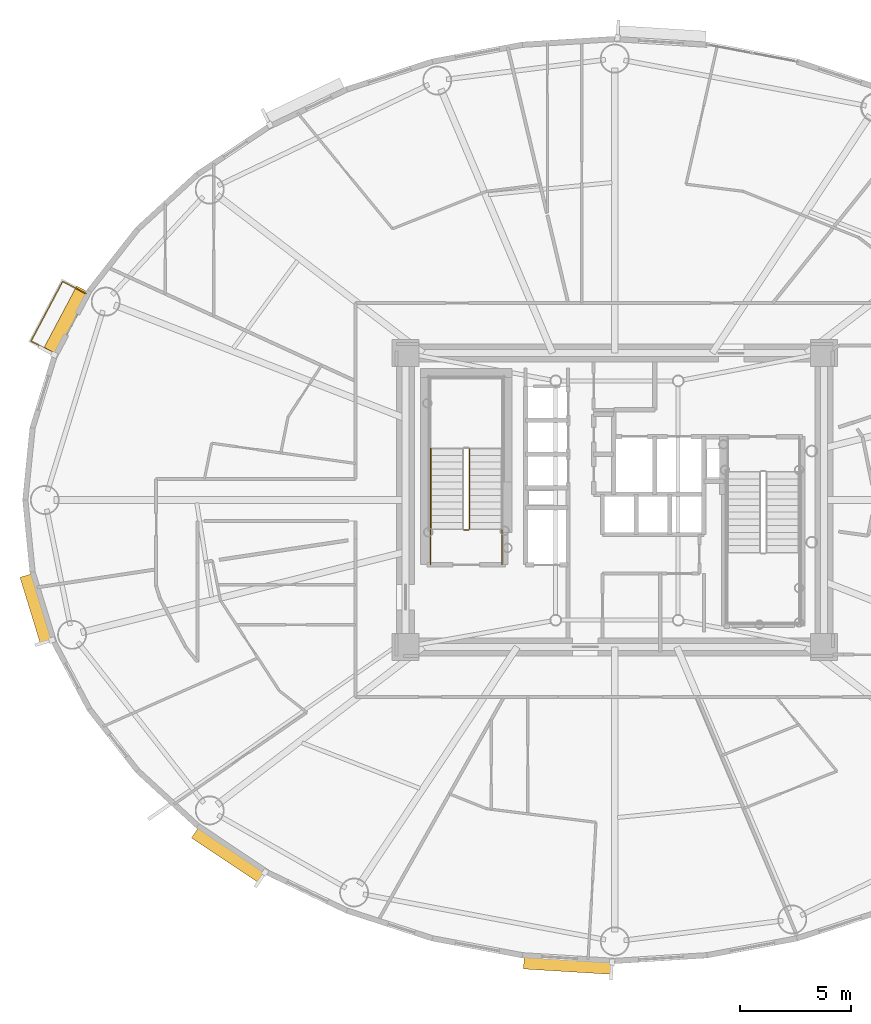
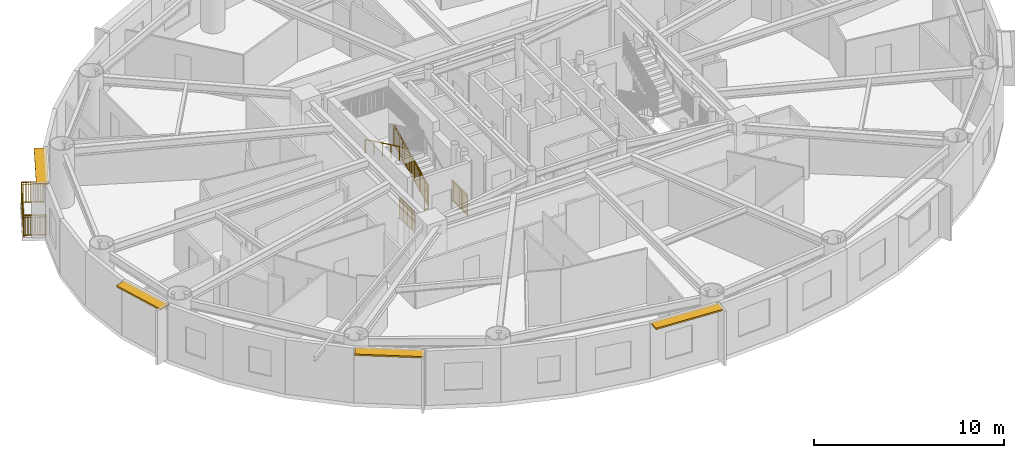
# One storey, part 14 of 20: 6 railings, 4 shading devices.
"""IFC4 building model written with IfcOpenShell, lengths in metres."""

import ifcopenshell
import ifcopenshell.guid

model = None  # the IFC model being written
_history = None  # IfcOwnerHistory: only IFC2X3 demands one
_inside = {}  # id of a spatial element -> (the spatial element, [elements in it])
_under = {}  # id of a project, library or spatial element -> (it, [spatial elements below it])
_declared = {}  # id of a project -> (the project, [libraries it declares])
_typed = {}  # id of a type object -> (the type object, [elements of that type])
_made_of = {}  # id of a material, layer set ... -> (it, [elements and type objects made of it])


def new_model(schema):
    """Start an empty IFC model of exactly this schema.

    Asked for "IFC4X3", IfcOpenShell would pick the latest addendum, in which some entities
    have other attributes; the version numbers below select the first issue.
    IFC2X3 requires an IfcOwnerHistory on every rooted entity: one is made here for all.
    """
    global model, _history
    if schema == "IFC4X3":
        model = ifcopenshell.file(schema_version=(4, 3, 0, 0))
    else:
        model = ifcopenshell.file(schema=schema)
    _inside.clear()
    _under.clear()
    _declared.clear()
    _typed.clear()
    _made_of.clear()
    _history = None
    if model.schema == "IFC2X3":
        org = make("IfcOrganization", Name="unknown")
        user = make(
            "IfcPersonAndOrganization",
            ThePerson=make("IfcPerson", FamilyName="unknown"),
            TheOrganization=org,
        )
        app = make(
            "IfcApplication",
            ApplicationDeveloper=org,
            Version="unknown",
            ApplicationFullName="unknown",
            ApplicationIdentifier="unknown",
        )
        _history = make(
            "IfcOwnerHistory",
            OwningUser=user,
            OwningApplication=app,
            ChangeAction="ADDED",
            CreationDate=0,
        )
    return model


def make(cls, **values):
    """One entity of the class cls with the attributes given. An attribute that is None is left unset."""
    return model.create_entity(
        cls, **{name: value for name, value in values.items() if value is not None}
    )


def rooted(cls, **values):
    """An entity with a GlobalId (a new one), such as an element, a storey or a relation."""
    return make(cls, GlobalId=ifcopenshell.guid.new(), OwnerHistory=_history, **values)


def si_unit(unit_type, name, prefix=None):
    """IfcSIUnit, for example si_unit("LENGTHUNIT", "METRE", prefix="MILLI")."""
    return make("IfcSIUnit", UnitType=unit_type, Prefix=prefix, Name=name)


def assignment(units):
    """IfcUnitAssignment: the units of a project."""
    return None if units is None else make("IfcUnitAssignment", Units=units)


def point(xyz):
    """IfcCartesianPoint."""
    return None if xyz is None else make("IfcCartesianPoint", Coordinates=xyz)


def direction(xyz):
    """IfcDirection."""
    return None if xyz is None else make("IfcDirection", DirectionRatios=xyz)


def frame(location, z_axis=None, x_axis=None):
    """IfcAxis2Placement3D, a coordinate frame: its origin and axes. An axis left out is left unset."""
    return make(
        "IfcAxis2Placement3D",
        Location=point(location),
        Axis=direction(z_axis),
        RefDirection=direction(x_axis),
    )


def frame_2d(location, x_axis=None):
    """IfcAxis2Placement2D, a coordinate frame in the plane: its origin and x axis."""
    return make(
        "IfcAxis2Placement2D", Location=point(location), RefDirection=direction(x_axis)
    )


def origin():
    """The frame at (0, 0, 0) with its axes left unset."""
    return frame((0.0, 0.0, 0.0))


def origin_2d():
    """The frame at (0, 0) in the plane with its x axis left unset."""
    return frame_2d((0.0, 0.0))


def place(relative_to, where):
    """IfcLocalPlacement: puts the frame where relative to a parent placement (None: the world)."""
    return make(
        "IfcLocalPlacement", PlacementRelTo=relative_to, RelativePlacement=where
    )


def context(
    kind, dimensions, precision=None, world=None, true_north=None, identifier=None
):
    """IfcGeometricRepresentationContext, for example the 3D "Model" context."""
    return make(
        "IfcGeometricRepresentationContext",
        ContextIdentifier=identifier,
        ContextType=kind,
        CoordinateSpaceDimension=dimensions,
        Precision=precision,
        WorldCoordinateSystem=world,
        TrueNorth=true_north,
    )


def subcontext(parent, identifier, kind, view, scale=None):
    """IfcGeometricRepresentationSubContext, for example "Body" below "Model"."""
    return make(
        "IfcGeometricRepresentationSubContext",
        ContextIdentifier=identifier,
        ContextType=kind,
        ParentContext=parent,
        TargetScale=scale,
        TargetView=view,
    )


def project(units=None, contexts=None):
    """IfcProject with its units and contexts."""
    return rooted(
        "IfcProject",
        Name="project",
        RepresentationContexts=contexts,
        UnitsInContext=assignment(units),
    )


def spatial(cls, under=None, at=None, **own):
    """A site, building, storey or space (cls), placed at a placement, below another one or the project."""
    s = rooted(cls, ObjectPlacement=at, **own)
    if under is not None:
        _under.setdefault(under.id(), (under, []))[1].append(s)
    return s


def profile(cls, at=None, kind="AREA", **sizes):
    """A parametric profile (cls). Its sizes go by their IFC names, for example OverallWidth=200.0."""
    return make(cls, ProfileType=kind, Position=at, **sizes)


def rectangle(**sizes):
    """IfcRectangleProfileDef."""
    return profile("IfcRectangleProfileDef", **sizes)


def extrude(swept, where, along, depth):
    """IfcExtrudedAreaSolid: the profile swept, set in the frame where, extruded along a direction by depth."""
    return make(
        "IfcExtrudedAreaSolid",
        SweptArea=swept,
        Position=where,
        ExtrudedDirection=direction(along),
        Depth=depth,
    )


def shape(context_of_items, identifier, shape_type, items):
    """IfcShapeRepresentation: the items that make up one representation, for example the "Body"."""
    return make(
        "IfcShapeRepresentation",
        ContextOfItems=context_of_items,
        RepresentationIdentifier=identifier,
        RepresentationType=shape_type,
        Items=items,
    )


def source(mapping_origin, context_of_items, identifier, shape_type, items):
    """IfcRepresentationMap: a shape defined once, which mapped items show again and again."""
    return make(
        "IfcRepresentationMap",
        MappingOrigin=mapping_origin,
        MappedRepresentation=shape(context_of_items, identifier, shape_type, items),
    )


def transform(
    local_origin,
    x_axis=None,
    y_axis=None,
    z_axis=None,
    scale=None,
    scale2=None,
    scale3=None,
    uniform=True,
):
    """IfcCartesianTransformationOperator3D, or its non-uniform kind. x_axis, y_axis, z_axis: its Axis1, 2, 3."""
    if uniform:
        return make(
            "IfcCartesianTransformationOperator3D",
            Axis1=direction(x_axis),
            Axis2=direction(y_axis),
            LocalOrigin=point(local_origin),
            Scale=scale,
            Axis3=direction(z_axis),
        )
    return make(
        "IfcCartesianTransformationOperator3DnonUniform",
        Axis1=direction(x_axis),
        Axis2=direction(y_axis),
        LocalOrigin=point(local_origin),
        Scale=scale,
        Axis3=direction(z_axis),
        Scale2=scale2,
        Scale3=scale3,
    )


def mapped(mapping_source, mapping_target):
    """IfcMappedItem: shows the shape of a source again, moved by a transform."""
    return make(
        "IfcMappedItem", MappingSource=mapping_source, MappingTarget=mapping_target
    )


def material(Name=None, Category=None):
    """IfcMaterial."""
    return make("IfcMaterial", Name=Name, Category=Category)


def layer(
    of_material, thickness, ventilated=None, Name=None, Category=None, Priority=None
):
    """IfcMaterialLayer: one layer of a wall or slab, of a material (None: an air gap)."""
    return make(
        "IfcMaterialLayer",
        Material=of_material,
        LayerThickness=thickness,
        IsVentilated=ventilated,
        Name=Name,
        Category=Category,
        Priority=Priority,
    )


def layer_set(layers, Name=None):
    """IfcMaterialLayerSet."""
    return make("IfcMaterialLayerSet", MaterialLayers=layers, LayerSetName=Name)


def made_of(thing, what):
    """Note that an element or type object is made of a material, layer set ...; save() writes the relation."""
    if what is not None:
        _made_of.setdefault(what.id(), (what, []))[1].append(thing)
    return thing


def type_object(cls, material=None, **own):
    """A type object (cls), such as IfcWallType, which elements share."""
    return made_of(rooted(cls, **own), material)


def element(
    cls,
    number,
    at=None,
    inside=None,
    cuts=None,
    type_object=None,
    material=None,
    context=None,
    identifier="Body",
    shape_type=None,
    held_by="IfcProductDefinitionShape",
    body=None,
    shapes=None,
    **own,
):
    """One element of the class cls, such as IfcWall. Its Tag is "e" and its number.

    at: its placement. inside: the storey or other place that contains it. cuts: it is an
    opening in that element (IfcRelVoidsElement). A single representation is given by context,
    identifier, shape_type and body (its items); several are given by shapes. held_by: the class
    of the entity that holds the representations. save() writes the other relations.
    """
    e = rooted(cls, Tag="e%d" % number, ObjectPlacement=at, **own)
    if body is not None:
        shapes = [shape(context, identifier, shape_type, body)]
    if shapes is not None:
        e.Representation = make(held_by, Representations=shapes)
    if inside is not None:
        _inside.setdefault(inside.id(), (inside, []))[1].append(e)
    if cuts is not None:
        rooted(
            "IfcRelVoidsElement", RelatingBuildingElement=cuts, RelatedOpeningElement=e
        )
    if type_object is not None:
        _typed.setdefault(type_object.id(), (type_object, []))[1].append(e)
    return made_of(e, material)


def aggregate(whole, parts):
    """IfcRelAggregates: a whole, such as a stair, and the parts it consists of."""
    return rooted("IfcRelAggregates", RelatingObject=whole, RelatedObjects=parts)


def save(model, path):
    """Write the relations noted so far, then the file.

    IfcRelAggregates (storeys below a building ...), IfcRelContainedInSpatialStructure (elements
    in a storey), IfcRelDefinesByType, IfcRelAssociatesMaterial and IfcRelDeclares: one each for
    every whole, place, type object, material and project.
    """
    for whole, parts in _under.values():
        aggregate(whole, parts)
    for where, things in _inside.values():
        rooted(
            "IfcRelContainedInSpatialStructure",
            RelatedElements=things,
            RelatingStructure=where,
        )
    for kind, things in _typed.values():
        rooted("IfcRelDefinesByType", RelatedObjects=things, RelatingType=kind)
    for what, things in _made_of.values():
        rooted("IfcRelAssociatesMaterial", RelatedObjects=things, RelatingMaterial=what)
    for by, libraries in _declared.values():
        rooted("IfcRelDeclares", RelatingContext=by, RelatedDefinitions=libraries)
    model.write(path)


model = new_model("IFC4")

# Units and contexts
model_context = context("Model", 3, precision=1e-05, world=origin(), true_north=direction((0.0, 1.0)))
body_context = subcontext(model_context, "Body", "Model", "MODEL_VIEW")
ifc_project = project(units=[si_unit("LENGTHUNIT", "METRE"), si_unit("AREAUNIT", "SQUARE_METRE"), si_unit("VOLUMEUNIT", "CUBIC_METRE"), si_unit("PLANEANGLEUNIT", "RADIAN"), si_unit("MASSUNIT", "GRAM", prefix="KILO")], contexts=[model_context])

# Site, building, storey
site_placement = place(None, origin())
site = spatial("IfcSite", under=ifc_project, at=site_placement, CompositionType="ELEMENT")
building_placement = place(site_placement, origin())
building = spatial("IfcBuilding", under=site, at=building_placement, Name="Linh Dai School and Residence Tower", CompositionType="ELEMENT")
storey_placement = place(building_placement, frame((0.0, 0.0, 163.64990234375)))
storey = spatial("IfcBuildingStorey", under=building, at=storey_placement, Name="L39", CompositionType="ELEMENT", Elevation=163.64990234375)

# Shading devices
ifc_material_1 = material(Name="Terracotta Ceramic Sunshade", Category="masonry")
ifc_layer = layer(ifc_material_1, 0.10009765625)
ifc_layer_set = layer_set([ifc_layer], Name="Terracotta Ceramic Sunshade")
shading_device_type = type_object("IfcShadingDeviceType", Name="SHD-TC-650", PredefinedType="USERDEFINED", material=ifc_layer_set)
shared_shape_1 = source(origin(), body_context, "Body", "SweptSolid", [
    extrude(rectangle(XDim=3.168212890625, YDim=0.64990234375, at=origin_2d()), origin(), (0.0, 0.0, 1.0), 0.10009765625),
])
shading_device_1_placement = place(storey_placement, frame((10.061279296875, 22.105224609375, 3.380126953125), z_axis=(0.0, 0.0, 1.0), x_axis=(-0.293121969301, 0.956075055167, 0.0)))
element("IfcShadingDevice", 1, at=shading_device_1_placement, inside=storey, type_object=shading_device_type, Name="L39 Terracotta Horizontal Sunshade Band 22", ObjectType="SUNSHADE", PredefinedType="USERDEFINED", context=body_context, shape_type="MappedRepresentation", body=[
    mapped(shared_shape_1, transform((0.0, 0.0, 0.0), x_axis=(1.0, 0.0, 0.0), y_axis=(0.0, 1.0, 0.0), z_axis=(0.0, 0.0, 1.0), scale=1.0)),
])
shared_shape_2 = source(origin(), body_context, "Body", "SweptSolid", [
    extrude(rectangle(XDim=3.64794921875, YDim=0.64990234375, at=origin_2d()), origin(), (0.0, 0.0, 1.0), 0.10009765625),
])
shading_device_2_placement = place(storey_placement, frame((18.68896484375, 11.076171875, 3.380126953125), z_axis=(0.0, 0.0, 1.0), x_axis=(-0.831228338651, 0.555931154932, 0.0)))
element("IfcShadingDevice", 2, at=shading_device_2_placement, inside=storey, type_object=shading_device_type, Name="L39 Terracotta Horizontal Sunshade Band 26", ObjectType="SUNSHADE", PredefinedType="USERDEFINED", context=body_context, shape_type="MappedRepresentation", body=[
    mapped(shared_shape_2, transform((0.0, 0.0, 0.0), x_axis=(1.0, 0.0, 0.0), y_axis=(0.0, 1.0, 0.0), z_axis=(0.0, 0.0, 1.0), scale=1.0)),
])
shared_shape_3 = source(origin(), body_context, "Body", "SweptSolid", [
    extrude(rectangle(XDim=3.987548828125, YDim=0.64990234375, at=origin_2d()), origin(), (0.0, 0.0, 1.0), 0.10009765625),
])
shading_device_3_placement = place(storey_placement, frame((33.90966796875, 6.13818359375, 3.380126953125), z_axis=(0.0, 0.0, 1.0), x_axis=(-0.99810632076, 0.061512376467, 0.0)))
element("IfcShadingDevice", 3, at=shading_device_3_placement, inside=storey, type_object=shading_device_type, Name="L39 Terracotta Horizontal Sunshade Band 30", ObjectType="SUNSHADE", PredefinedType="USERDEFINED", context=body_context, shape_type="MappedRepresentation", body=[
    mapped(shared_shape_3, transform((0.0, 0.0, 0.0), x_axis=(1.0, 0.0, 0.0), y_axis=(0.0, 1.0, 0.0), z_axis=(0.0, 0.0, 1.0), scale=1.0)),
])

# Railing
ifc_material_2 = material(Name="Structural Steel S355JR", Category="steel")
railing_type_1 = type_object("IfcRailingType", Name="RL-BAL-1400", PredefinedType="BALUSTRADE", material=ifc_material_2)
shared_shape_4 = source(origin(), body_context, "Body", "SweptSolid", [
    extrude(rectangle(XDim=0.048095703125, YDim=0.048095703125, at=origin_2d()), frame((0.0, 0.0, 1.3759765625), z_axis=(-0.884059525788, 0.467374319859, 0.0), x_axis=(-0.467374319859, -0.884059525788, 0.0)), (0.0, 0.0, 1.0), 1.179931640625),
    extrude(rectangle(XDim=0.048095703125, YDim=0.048095703125, at=origin_2d()), frame((0.0, 0.0, 0.10009765625), z_axis=(-0.884059525788, 0.467374319859, 0.0), x_axis=(-0.467374319859, -0.884059525788, 0.0)), (0.0, 0.0, 1.0), 1.179931640625),
    extrude(rectangle(XDim=0.030029296875, YDim=0.030029296875, at=origin_2d()), frame((0.0, 0.0, 1.239990234375), z_axis=(-0.884059525788, 0.467374319859, 0.0), x_axis=(-0.467374319859, -0.884059525788, 0.0)), (0.0, 0.0, 1.0), 1.179931640625),
    extrude(rectangle(XDim=0.02001953125, YDim=0.02001953125, at=origin_2d()), frame((-0.080322265625, 0.04248046875, 0.10009765625)), (0.0, 0.0, 1.0), 1.251708984375),
    extrude(rectangle(XDim=0.02001953125, YDim=0.02001953125, at=origin_2d()), frame((-0.160400390625, 0.0849609375, 0.10009765625)), (0.0, 0.0, 1.0), 1.251708984375),
    extrude(rectangle(XDim=0.02001953125, YDim=0.02001953125, at=origin_2d()), frame((-0.24072265625, 0.127197265625, 0.10009765625)), (0.0, 0.0, 1.0), 1.251708984375),
    extrude(rectangle(XDim=0.02001953125, YDim=0.02001953125, at=origin_2d()), frame((-0.321044921875, 0.169677734375, 0.10009765625)), (0.0, 0.0, 1.0), 1.251708984375),
    extrude(rectangle(XDim=0.02001953125, YDim=0.02001953125, at=origin_2d()), frame((-0.401123046875, 0.212158203125, 0.10009765625)), (0.0, 0.0, 1.0), 1.251708984375),
    extrude(rectangle(XDim=0.02001953125, YDim=0.02001953125, at=origin_2d()), frame((-0.4814453125, 0.254638671875, 0.10009765625)), (0.0, 0.0, 1.0), 1.251708984375),
    extrude(rectangle(XDim=0.02001953125, YDim=0.02001953125, at=origin_2d()), frame((-0.561767578125, 0.296875, 0.10009765625)), (0.0, 0.0, 1.0), 1.251708984375),
    extrude(rectangle(XDim=0.02001953125, YDim=0.02001953125, at=origin_2d()), frame((-0.64208984375, 0.33935546875, 0.10009765625)), (0.0, 0.0, 1.0), 1.251708984375),
    extrude(rectangle(XDim=0.02001953125, YDim=0.02001953125, at=origin_2d()), frame((-0.72216796875, 0.3818359375, 0.10009765625)), (0.0, 0.0, 1.0), 1.251708984375),
    extrude(rectangle(XDim=0.02001953125, YDim=0.02001953125, at=origin_2d()), frame((-0.802490234375, 0.42431640625, 0.10009765625)), (0.0, 0.0, 1.0), 1.251708984375),
    extrude(rectangle(XDim=0.02001953125, YDim=0.02001953125, at=origin_2d()), frame((-0.8828125, 0.466552734375, 0.10009765625)), (0.0, 0.0, 1.0), 1.251708984375),
    extrude(rectangle(XDim=0.02001953125, YDim=0.02001953125, at=origin_2d()), frame((-0.962890625, 0.509033203125, 0.10009765625)), (0.0, 0.0, 1.0), 1.251708984375),
    extrude(rectangle(XDim=0.048095703125, YDim=0.048095703125, at=origin_2d()), frame((-1.043212890625, 0.551513671875, 1.3759765625), z_axis=(0.467602962324, 0.88393861191, 0.0), x_axis=(-0.88393861191, 0.467602962324, 0.0)), (0.0, 0.0, 1.0), 3.033447265625),
    extrude(rectangle(XDim=0.048095703125, YDim=0.048095703125, at=origin_2d()), frame((-1.043212890625, 0.551513671875, 0.10009765625), z_axis=(0.467602962324, 0.88393861191, 0.0), x_axis=(-0.88393861191, 0.467602962324, 0.0)), (0.0, 0.0, 1.0), 3.033447265625),
    extrude(rectangle(XDim=0.030029296875, YDim=0.030029296875, at=origin_2d()), frame((-1.043212890625, 0.551513671875, 1.239990234375), z_axis=(0.467602962324, 0.88393861191, 0.0), x_axis=(-0.88393861191, 0.467602962324, 0.0)), (0.0, 0.0, 1.0), 3.033447265625),
    extrude(rectangle(XDim=0.02001953125, YDim=0.02001953125, at=origin_2d()), frame((-0.99755859375, 0.637939453125, 0.10009765625)), (0.0, 0.0, 1.0), 1.251708984375),
    extrude(rectangle(XDim=0.02001953125, YDim=0.02001953125, at=origin_2d()), frame((-0.95166015625, 0.724609375, 0.10009765625)), (0.0, 0.0, 1.0), 1.251708984375),
    extrude(rectangle(XDim=0.02001953125, YDim=0.02001953125, at=origin_2d()), frame((-0.906005859375, 0.81103515625, 0.10009765625)), (0.0, 0.0, 1.0), 1.251708984375),
    extrude(rectangle(XDim=0.02001953125, YDim=0.02001953125, at=origin_2d()), frame((-0.860107421875, 0.8974609375, 0.10009765625)), (0.0, 0.0, 1.0), 1.251708984375),
    extrude(rectangle(XDim=0.02001953125, YDim=0.02001953125, at=origin_2d()), frame((-0.814453125, 0.98388671875, 0.10009765625)), (0.0, 0.0, 1.0), 1.251708984375),
    extrude(rectangle(XDim=0.02001953125, YDim=0.02001953125, at=origin_2d()), frame((-0.7685546875, 1.070556640625, 0.10009765625)), (0.0, 0.0, 1.0), 1.251708984375),
    extrude(rectangle(XDim=0.02001953125, YDim=0.02001953125, at=origin_2d()), frame((-0.722900390625, 1.156982421875, 0.10009765625)), (0.0, 0.0, 1.0), 1.251708984375),
    extrude(rectangle(XDim=0.02001953125, YDim=0.02001953125, at=origin_2d()), frame((-0.67724609375, 1.243408203125, 0.10009765625)), (0.0, 0.0, 1.0), 1.251708984375),
    extrude(rectangle(XDim=0.02001953125, YDim=0.02001953125, at=origin_2d()), frame((-0.63134765625, 1.330078125, 0.10009765625)), (0.0, 0.0, 1.0), 1.251708984375),
    extrude(rectangle(XDim=0.02001953125, YDim=0.02001953125, at=origin_2d()), frame((-0.539794921875, 1.5029296875, 0.10009765625)), (0.0, 0.0, 1.0), 1.251708984375),
    extrude(rectangle(XDim=0.02001953125, YDim=0.02001953125, at=origin_2d()), frame((-0.494140625, 1.58935546875, 0.10009765625)), (0.0, 0.0, 1.0), 1.251708984375),
    extrude(rectangle(XDim=0.02001953125, YDim=0.02001953125, at=origin_2d()), frame((-0.448486328125, 1.676025390625, 0.10009765625)), (0.0, 0.0, 1.0), 1.251708984375),
    extrude(rectangle(XDim=0.02001953125, YDim=0.02001953125, at=origin_2d()), frame((-0.402587890625, 1.762451171875, 0.10009765625)), (0.0, 0.0, 1.0), 1.251708984375),
    extrude(rectangle(XDim=0.02001953125, YDim=0.02001953125, at=origin_2d()), frame((-0.35693359375, 1.848876953125, 0.10009765625)), (0.0, 0.0, 1.0), 1.251708984375),
    extrude(rectangle(XDim=0.02001953125, YDim=0.02001953125, at=origin_2d()), frame((-0.31103515625, 1.935546875, 0.10009765625)), (0.0, 0.0, 1.0), 1.251708984375),
    extrude(rectangle(XDim=0.02001953125, YDim=0.02001953125, at=origin_2d()), frame((-0.265380859375, 2.02197265625, 0.10009765625)), (0.0, 0.0, 1.0), 1.251708984375),
    extrude(rectangle(XDim=0.02001953125, YDim=0.02001953125, at=origin_2d()), frame((-0.219482421875, 2.1083984375, 0.10009765625)), (0.0, 0.0, 1.0), 1.251708984375),
    extrude(rectangle(XDim=0.02001953125, YDim=0.02001953125, at=origin_2d()), frame((-0.173828125, 2.195068359375, 0.10009765625)), (0.0, 0.0, 1.0), 1.251708984375),
    extrude(rectangle(XDim=0.02001953125, YDim=0.02001953125, at=origin_2d()), frame((-0.128173828125, 2.281494140625, 0.10009765625)), (0.0, 0.0, 1.0), 1.251708984375),
    extrude(rectangle(XDim=0.02001953125, YDim=0.02001953125, at=origin_2d()), frame((-0.03662109375, 2.454345703125, 0.10009765625)), (0.0, 0.0, 1.0), 1.251708984375),
    extrude(rectangle(XDim=0.02001953125, YDim=0.02001953125, at=origin_2d()), frame((0.00927734375, 2.541015625, 0.10009765625)), (0.0, 0.0, 1.0), 1.251708984375),
    extrude(rectangle(XDim=0.02001953125, YDim=0.02001953125, at=origin_2d()), frame((0.054931640625, 2.62744140625, 0.10009765625)), (0.0, 0.0, 1.0), 1.251708984375),
    extrude(rectangle(XDim=0.02001953125, YDim=0.02001953125, at=origin_2d()), frame((0.1005859375, 2.7138671875, 0.10009765625)), (0.0, 0.0, 1.0), 1.251708984375),
    extrude(rectangle(XDim=0.02001953125, YDim=0.02001953125, at=origin_2d()), frame((0.146484375, 2.800537109375, 0.10009765625)), (0.0, 0.0, 1.0), 1.251708984375),
    extrude(rectangle(XDim=0.02001953125, YDim=0.02001953125, at=origin_2d()), frame((0.192138671875, 2.886962890625, 0.10009765625)), (0.0, 0.0, 1.0), 1.251708984375),
    extrude(rectangle(XDim=0.02001953125, YDim=0.02001953125, at=origin_2d()), frame((0.238037109375, 2.973388671875, 0.10009765625)), (0.0, 0.0, 1.0), 1.251708984375),
    extrude(rectangle(XDim=0.02001953125, YDim=0.02001953125, at=origin_2d()), frame((0.28369140625, 3.059814453125, 0.10009765625)), (0.0, 0.0, 1.0), 1.251708984375),
    extrude(rectangle(XDim=0.02001953125, YDim=0.02001953125, at=origin_2d()), frame((0.32958984375, 3.146484375, 0.10009765625)), (0.0, 0.0, 1.0), 1.251708984375),
    extrude(rectangle(XDim=0.048095703125, YDim=0.048095703125, at=origin_2d()), frame((0.375244140625, 3.23291015625, 1.3759765625), z_axis=(0.883928800226, -0.467621509483, 0.0), x_axis=(0.467621509483, 0.883928800226, 0.0)), (0.0, 0.0, 1.0), 1.179931640625),
    extrude(rectangle(XDim=0.048095703125, YDim=0.048095703125, at=origin_2d()), frame((0.375244140625, 3.23291015625, 0.10009765625), z_axis=(0.883928800226, -0.467621509483, 0.0), x_axis=(0.467621509483, 0.883928800226, 0.0)), (0.0, 0.0, 1.0), 1.179931640625),
    extrude(rectangle(XDim=0.030029296875, YDim=0.030029296875, at=origin_2d()), frame((0.375244140625, 3.23291015625, 1.239990234375), z_axis=(0.883928800226, -0.467621509483, 0.0), x_axis=(0.467621509483, 0.883928800226, 0.0)), (0.0, 0.0, 1.0), 1.179931640625),
    extrude(rectangle(XDim=0.02001953125, YDim=0.02001953125, at=origin_2d()), frame((0.45556640625, 3.1904296875, 0.10009765625)), (0.0, 0.0, 1.0), 1.251708984375),
    extrude(rectangle(XDim=0.02001953125, YDim=0.02001953125, at=origin_2d()), frame((0.53564453125, 3.14794921875, 0.10009765625)), (0.0, 0.0, 1.0), 1.251708984375),
    extrude(rectangle(XDim=0.02001953125, YDim=0.02001953125, at=origin_2d()), frame((0.615966796875, 3.10546875, 0.10009765625)), (0.0, 0.0, 1.0), 1.251708984375),
    extrude(rectangle(XDim=0.02001953125, YDim=0.02001953125, at=origin_2d()), frame((0.696044921875, 3.063232421875, 0.10009765625)), (0.0, 0.0, 1.0), 1.251708984375),
    extrude(rectangle(XDim=0.02001953125, YDim=0.02001953125, at=origin_2d()), frame((0.7763671875, 3.020751953125, 0.10009765625)), (0.0, 0.0, 1.0), 1.251708984375),
    extrude(rectangle(XDim=0.02001953125, YDim=0.02001953125, at=origin_2d()), frame((0.856689453125, 2.978271484375, 0.10009765625)), (0.0, 0.0, 1.0), 1.251708984375),
    extrude(rectangle(XDim=0.02001953125, YDim=0.02001953125, at=origin_2d()), frame((0.936767578125, 2.935791015625, 0.10009765625)), (0.0, 0.0, 1.0), 1.251708984375),
    extrude(rectangle(XDim=0.02001953125, YDim=0.02001953125, at=origin_2d()), frame((1.01708984375, 2.893310546875, 0.10009765625)), (0.0, 0.0, 1.0), 1.251708984375),
    extrude(rectangle(XDim=0.02001953125, YDim=0.02001953125, at=origin_2d()), frame((1.097412109375, 2.850830078125, 0.10009765625)), (0.0, 0.0, 1.0), 1.251708984375),
    extrude(rectangle(XDim=0.02001953125, YDim=0.02001953125, at=origin_2d()), frame((1.177490234375, 2.80859375, 0.10009765625)), (0.0, 0.0, 1.0), 1.251708984375),
    extrude(rectangle(XDim=0.02001953125, YDim=0.02001953125, at=origin_2d()), frame((1.2578125, 2.76611328125, 0.10009765625)), (0.0, 0.0, 1.0), 1.251708984375),
    extrude(rectangle(XDim=0.02001953125, YDim=0.02001953125, at=origin_2d()), frame((1.337890625, 2.7236328125, 0.10009765625)), (0.0, 0.0, 1.0), 1.251708984375),
    extrude(rectangle(XDim=0.0419921875, YDim=0.0419921875, at=origin_2d()), origin(), (0.0, 0.0, 1.0), 1.3759765625),
    extrude(rectangle(XDim=0.0419921875, YDim=0.0419921875, at=origin_2d()), frame((-1.043212890625, 0.551513671875, 0.0)), (0.0, 0.0, 1.0), 1.3759765625),
    extrude(rectangle(XDim=0.0419921875, YDim=0.0419921875, at=origin_2d()), frame((-0.5703125, 1.4453125, 0.0)), (0.0, 0.0, 1.0), 1.3759765625),
    extrude(rectangle(XDim=0.0419921875, YDim=0.0419921875, at=origin_2d()), frame((-0.09765625, 2.339111328125, 0.0)), (0.0, 0.0, 1.0), 1.3759765625),
    extrude(rectangle(XDim=0.0419921875, YDim=0.0419921875, at=origin_2d()), frame((0.375244140625, 3.23291015625, 0.0)), (0.0, 0.0, 1.0), 1.3759765625),
    extrude(rectangle(XDim=0.0419921875, YDim=0.0419921875, at=origin_2d()), frame((1.418212890625, 2.68115234375, 0.0)), (0.0, 0.0, 1.0), 1.3759765625),
])
railing_1_placement = place(storey_placement, frame((10.826416015625, 33.587890625, 0.0)))
element("IfcRailing", 4, at=railing_1_placement, inside=storey, type_object=railing_type_1, Name="L39 Balcony Safety Balustrade 18", PredefinedType="BALUSTRADE", context=body_context, shape_type="MappedRepresentation", body=[
    mapped(shared_shape_4, transform((0.0, 0.0, 0.0), x_axis=(1.0, 0.0, 0.0), y_axis=(0.0, 1.0, 0.0), z_axis=(0.0, 0.0, 1.0), scale=1.0)),
])

# Shading device
shared_shape_5 = source(origin(), body_context, "Body", "SweptSolid", [
    extrude(rectangle(XDim=3.257568359375, YDim=0.64990234375, at=origin_2d()), origin(), (0.0, 0.0, 1.0), 0.10009765625),
])
shading_device_4_placement = place(storey_placement, frame((11.358642578125, 35.02197265625, 3.380126953125), z_axis=(0.0, 0.0, 1.0), x_axis=(0.467580060884, 0.883950726378, 0.0)))
element("IfcShadingDevice", 5, at=shading_device_4_placement, inside=storey, type_object=shading_device_type, Name="L39 Terracotta Horizontal Sunshade Band 18", ObjectType="SUNSHADE", PredefinedType="USERDEFINED", context=body_context, shape_type="MappedRepresentation", body=[
    mapped(shared_shape_5, transform((0.0, 0.0, 0.0), x_axis=(1.0, 0.0, 0.0), y_axis=(0.0, 1.0, 0.0), z_axis=(0.0, 0.0, 1.0), scale=1.0)),
])

# Railings
railing_type_2 = type_object("IfcRailingType", Name="RL-ST-GUARD-1400", PredefinedType="GUARDRAIL", material=ifc_material_2)
shared_shape_6 = source(origin(), body_context, "Body", "SweptSolid", [
    extrude(rectangle(XDim=0.048095703125, YDim=0.048095703125, at=origin_2d()), frame((0.0, 0.0, 1.3759765625), z_axis=(-1.0, 0.0, 0.0), x_axis=(0.0, -1.0, 0.0)), (0.0, 0.0, 1.0), 0.199951171875),
    extrude(rectangle(XDim=0.048095703125, YDim=0.048095703125, at=origin_2d()), frame((0.0, 0.0, 0.10009765625), z_axis=(-1.0, 0.0, 0.0), x_axis=(0.0, -1.0, 0.0)), (0.0, 0.0, 1.0), 0.199951171875),
    extrude(rectangle(XDim=0.030029296875, YDim=0.030029296875, at=origin_2d()), frame((0.0, 0.0, 1.239990234375), z_axis=(-1.0, 0.0, 0.0), x_axis=(0.0, -1.0, 0.0)), (0.0, 0.0, 1.0), 0.199951171875),
    extrude(rectangle(XDim=0.0419921875, YDim=0.0419921875, at=origin_2d()), origin(), (0.0, 0.0, 1.0), 1.3759765625),
    extrude(rectangle(XDim=0.0419921875, YDim=0.0419921875, at=origin_2d()), frame((-0.199951171875, 0.0, 0.0)), (0.0, 0.0, 1.0), 1.3759765625),
])
railing_2_placement = place(storey_placement, frame((29.429931640625, 25.64990234375, 0.0)))
element("IfcRailing", 6, at=railing_2_placement, inside=storey, type_object=railing_type_2, Name="L39 ST1 stair guard 7", PredefinedType="GUARDRAIL", context=body_context, shape_type="MappedRepresentation", body=[
    mapped(shared_shape_6, transform((0.0, 0.0, 0.0), x_axis=(1.0, 0.0, 0.0), y_axis=(0.0, 1.0, 0.0), z_axis=(0.0, 0.0, 1.0), scale=1.0)),
])
shared_shape_7 = source(origin(), body_context, "Body", "SweptSolid", [
    extrude(rectangle(XDim=0.048095703125, YDim=0.048095703125, at=origin_2d()), frame((0.0, 0.0, 1.3759765625), z_axis=(0.0, 1.0, 0.0), x_axis=(-1.0, 0.0, 0.0)), (0.0, 0.0, 1.0), 1.599853515625),
    extrude(rectangle(XDim=0.048095703125, YDim=0.048095703125, at=origin_2d()), frame((0.0, 0.0, 0.10009765625), z_axis=(0.0, 1.0, 0.0), x_axis=(-1.0, 0.0, 0.0)), (0.0, 0.0, 1.0), 1.599853515625),
    extrude(rectangle(XDim=0.030029296875, YDim=0.030029296875, at=origin_2d()), frame((0.0, 0.0, 1.239990234375), z_axis=(0.0, 1.0, 0.0), x_axis=(-1.0, 0.0, 0.0)), (0.0, 0.0, 1.0), 1.599853515625),
    extrude(rectangle(XDim=0.02001953125, YDim=0.02001953125, at=origin_2d()), frame((0.0, 0.093994140625, 0.10009765625)), (0.0, 0.0, 1.0), 1.251708984375),
    extrude(rectangle(XDim=0.02001953125, YDim=0.02001953125, at=origin_2d()), frame((0.0, 0.188232421875, 0.10009765625)), (0.0, 0.0, 1.0), 1.251708984375),
    extrude(rectangle(XDim=0.02001953125, YDim=0.02001953125, at=origin_2d()), frame((0.0, 0.2822265625, 0.10009765625)), (0.0, 0.0, 1.0), 1.251708984375),
    extrude(rectangle(XDim=0.02001953125, YDim=0.02001953125, at=origin_2d()), frame((0.0, 0.37646484375, 0.10009765625)), (0.0, 0.0, 1.0), 1.251708984375),
    extrude(rectangle(XDim=0.02001953125, YDim=0.02001953125, at=origin_2d()), frame((0.0, 0.470458984375, 0.10009765625)), (0.0, 0.0, 1.0), 1.251708984375),
    extrude(rectangle(XDim=0.02001953125, YDim=0.02001953125, at=origin_2d()), frame((0.0, 0.564697265625, 0.10009765625)), (0.0, 0.0, 1.0), 1.251708984375),
    extrude(rectangle(XDim=0.02001953125, YDim=0.02001953125, at=origin_2d()), frame((0.0, 0.65869140625, 0.10009765625)), (0.0, 0.0, 1.0), 1.251708984375),
    extrude(rectangle(XDim=0.02001953125, YDim=0.02001953125, at=origin_2d()), frame((0.0, 0.7529296875, 0.10009765625)), (0.0, 0.0, 1.0), 1.251708984375),
    extrude(rectangle(XDim=0.02001953125, YDim=0.02001953125, at=origin_2d()), frame((0.0, 0.846923828125, 0.10009765625)), (0.0, 0.0, 1.0), 1.251708984375),
    extrude(rectangle(XDim=0.02001953125, YDim=0.02001953125, at=origin_2d()), frame((0.0, 0.941162109375, 0.10009765625)), (0.0, 0.0, 1.0), 1.251708984375),
    extrude(rectangle(XDim=0.02001953125, YDim=0.02001953125, at=origin_2d()), frame((0.0, 1.03515625, 0.10009765625)), (0.0, 0.0, 1.0), 1.251708984375),
    extrude(rectangle(XDim=0.02001953125, YDim=0.02001953125, at=origin_2d()), frame((0.0, 1.12939453125, 0.10009765625)), (0.0, 0.0, 1.0), 1.251708984375),
    extrude(rectangle(XDim=0.02001953125, YDim=0.02001953125, at=origin_2d()), frame((0.0, 1.223388671875, 0.10009765625)), (0.0, 0.0, 1.0), 1.251708984375),
    extrude(rectangle(XDim=0.02001953125, YDim=0.02001953125, at=origin_2d()), frame((0.0, 1.317626953125, 0.10009765625)), (0.0, 0.0, 1.0), 1.251708984375),
    extrude(rectangle(XDim=0.02001953125, YDim=0.02001953125, at=origin_2d()), frame((0.0, 1.41162109375, 0.10009765625)), (0.0, 0.0, 1.0), 1.251708984375),
    extrude(rectangle(XDim=0.02001953125, YDim=0.02001953125, at=origin_2d()), frame((0.0, 1.505859375, 0.10009765625)), (0.0, 0.0, 1.0), 1.251708984375),
    extrude(rectangle(XDim=0.0419921875, YDim=0.0419921875, at=origin_2d()), origin(), (0.0, 0.0, 1.0), 1.3759765625),
    extrude(rectangle(XDim=0.0419921875, YDim=0.0419921875, at=origin_2d()), frame((0.0, 0.7998046875, 0.0)), (0.0, 0.0, 1.0), 1.3759765625),
    extrude(rectangle(XDim=0.0419921875, YDim=0.0419921875, at=origin_2d()), frame((0.0, 1.599853515625, 0.0)), (0.0, 0.0, 1.0), 1.3759765625),
])
for number, where, name in (
    (7, (30.929931640625, 24.10009765625, 0.0), "L39 ST1 stair guard 8"),
    (8, (27.72998046875, 24.10009765625, 0.0), "L39 ST1 stair guard 9"),
):
    element("IfcRailing", number, at=place(storey_placement, frame(where)), inside=storey, type_object=railing_type_2, Name=name, PredefinedType="GUARDRAIL", context=body_context, shape_type="MappedRepresentation", body=[
        mapped(shared_shape_7, transform((0.0, 0.0, 0.0), x_axis=(1.0, 0.0, 0.0), y_axis=(0.0, 1.0, 0.0), z_axis=(0.0, 0.0, 1.0), scale=1.0)),
    ])
shared_shape_8 = source(origin(), body_context, "Body", "SweptSolid", [
    extrude(rectangle(XDim=0.048095703125, YDim=0.048095703125, at=origin_2d()), frame((0.0, 0.0, 1.3759765625), z_axis=(0.0, 0.901262522062, 0.433273431364), x_axis=(-1.0, 0.0, 0.0)), (0.0, 0.0, 1.0), 3.994384765625),
    extrude(rectangle(XDim=0.048095703125, YDim=0.048095703125, at=origin_2d()), frame((0.0, 0.0, 0.10009765625), z_axis=(0.0, 0.901262522062, 0.433273431364), x_axis=(-1.0, 0.0, 0.0)), (0.0, 0.0, 1.0), 3.994384765625),
    extrude(rectangle(XDim=0.030029296875, YDim=0.030029296875, at=origin_2d()), frame((0.0, 0.0, 1.239990234375), z_axis=(0.0, 0.901262522062, 0.433273431364), x_axis=(-1.0, 0.0, 0.0)), (0.0, 0.0, 1.0), 3.994384765625),
    extrude(rectangle(XDim=0.02001953125, YDim=0.02001953125, at=origin_2d()), frame((0.0, 0.087890625, 0.142333984375)), (0.0, 0.0, 1.0), 1.251708984375),
    extrude(rectangle(XDim=0.02001953125, YDim=0.02001953125, at=origin_2d()), frame((0.0, 0.175537109375, 0.1845703125)), (0.0, 0.0, 1.0), 1.251708984375),
    extrude(rectangle(XDim=0.02001953125, YDim=0.02001953125, at=origin_2d()), frame((0.0, 0.263427734375, 0.226806640625)), (0.0, 0.0, 1.0), 1.251708984375),
    extrude(rectangle(XDim=0.02001953125, YDim=0.02001953125, at=origin_2d()), frame((0.0, 0.351318359375, 0.26904296875)), (0.0, 0.0, 1.0), 1.251708984375),
    extrude(rectangle(XDim=0.02001953125, YDim=0.02001953125, at=origin_2d()), frame((0.0, 0.43896484375, 0.311279296875)), (0.0, 0.0, 1.0), 1.251708984375),
    extrude(rectangle(XDim=0.02001953125, YDim=0.02001953125, at=origin_2d()), frame((0.0, 0.52685546875, 0.353271484375)), (0.0, 0.0, 1.0), 1.251708984375),
    extrude(rectangle(XDim=0.02001953125, YDim=0.02001953125, at=origin_2d()), frame((0.0, 0.61474609375, 0.3955078125)), (0.0, 0.0, 1.0), 1.251708984375),
    extrude(rectangle(XDim=0.02001953125, YDim=0.02001953125, at=origin_2d()), frame((0.0, 0.702392578125, 0.437744140625)), (0.0, 0.0, 1.0), 1.251708984375),
    extrude(rectangle(XDim=0.02001953125, YDim=0.02001953125, at=origin_2d()), frame((0.0, 0.790283203125, 0.47998046875)), (0.0, 0.0, 1.0), 1.251708984375),
    extrude(rectangle(XDim=0.02001953125, YDim=0.02001953125, at=origin_2d()), frame((0.0, 0.9658203125, 0.564453125)), (0.0, 0.0, 1.0), 1.251708984375),
    extrude(rectangle(XDim=0.02001953125, YDim=0.02001953125, at=origin_2d()), frame((0.0, 1.0537109375, 0.606689453125)), (0.0, 0.0, 1.0), 1.251708984375),
    extrude(rectangle(XDim=0.02001953125, YDim=0.02001953125, at=origin_2d()), frame((0.0, 1.1416015625, 0.64892578125)), (0.0, 0.0, 1.0), 1.251708984375),
    extrude(rectangle(XDim=0.02001953125, YDim=0.02001953125, at=origin_2d()), frame((0.0, 1.229248046875, 0.691162109375)), (0.0, 0.0, 1.0), 1.251708984375),
    extrude(rectangle(XDim=0.02001953125, YDim=0.02001953125, at=origin_2d()), frame((0.0, 1.317138671875, 0.7333984375)), (0.0, 0.0, 1.0), 1.251708984375),
    extrude(rectangle(XDim=0.02001953125, YDim=0.02001953125, at=origin_2d()), frame((0.0, 1.405029296875, 0.775390625)), (0.0, 0.0, 1.0), 1.251708984375),
    extrude(rectangle(XDim=0.02001953125, YDim=0.02001953125, at=origin_2d()), frame((0.0, 1.49267578125, 0.817626953125)), (0.0, 0.0, 1.0), 1.251708984375),
    extrude(rectangle(XDim=0.02001953125, YDim=0.02001953125, at=origin_2d()), frame((0.0, 1.58056640625, 0.85986328125)), (0.0, 0.0, 1.0), 1.251708984375),
    extrude(rectangle(XDim=0.02001953125, YDim=0.02001953125, at=origin_2d()), frame((0.0, 1.66845703125, 0.902099609375)), (0.0, 0.0, 1.0), 1.251708984375),
    extrude(rectangle(XDim=0.02001953125, YDim=0.02001953125, at=origin_2d()), frame((0.0, 1.756103515625, 0.9443359375)), (0.0, 0.0, 1.0), 1.251708984375),
    extrude(rectangle(XDim=0.02001953125, YDim=0.02001953125, at=origin_2d()), frame((0.0, 1.843994140625, 0.986572265625)), (0.0, 0.0, 1.0), 1.251708984375),
    extrude(rectangle(XDim=0.02001953125, YDim=0.02001953125, at=origin_2d()), frame((0.0, 1.931640625, 1.02880859375)), (0.0, 0.0, 1.0), 1.251708984375),
    extrude(rectangle(XDim=0.02001953125, YDim=0.02001953125, at=origin_2d()), frame((0.0, 2.01953125, 1.071044921875)), (0.0, 0.0, 1.0), 1.251708984375),
    extrude(rectangle(XDim=0.02001953125, YDim=0.02001953125, at=origin_2d()), frame((0.0, 2.107421875, 1.11328125)), (0.0, 0.0, 1.0), 1.251708984375),
    extrude(rectangle(XDim=0.02001953125, YDim=0.02001953125, at=origin_2d()), frame((0.0, 2.195068359375, 1.155517578125)), (0.0, 0.0, 1.0), 1.251708984375),
    extrude(rectangle(XDim=0.02001953125, YDim=0.02001953125, at=origin_2d()), frame((0.0, 2.282958984375, 1.197509765625)), (0.0, 0.0, 1.0), 1.251708984375),
    extrude(rectangle(XDim=0.02001953125, YDim=0.02001953125, at=origin_2d()), frame((0.0, 2.370849609375, 1.23974609375)), (0.0, 0.0, 1.0), 1.251708984375),
    extrude(rectangle(XDim=0.02001953125, YDim=0.02001953125, at=origin_2d()), frame((0.0, 2.45849609375, 1.281982421875)), (0.0, 0.0, 1.0), 1.251708984375),
    extrude(rectangle(XDim=0.02001953125, YDim=0.02001953125, at=origin_2d()), frame((0.0, 2.54638671875, 1.32421875)), (0.0, 0.0, 1.0), 1.251708984375),
    extrude(rectangle(XDim=0.02001953125, YDim=0.02001953125, at=origin_2d()), frame((0.0, 2.63427734375, 1.366455078125)), (0.0, 0.0, 1.0), 1.251708984375),
    extrude(rectangle(XDim=0.02001953125, YDim=0.02001953125, at=origin_2d()), frame((0.0, 2.809814453125, 1.450927734375)), (0.0, 0.0, 1.0), 1.251708984375),
    extrude(rectangle(XDim=0.02001953125, YDim=0.02001953125, at=origin_2d()), frame((0.0, 2.897705078125, 1.4931640625)), (0.0, 0.0, 1.0), 1.251708984375),
    extrude(rectangle(XDim=0.02001953125, YDim=0.02001953125, at=origin_2d()), frame((0.0, 2.9853515625, 1.535400390625)), (0.0, 0.0, 1.0), 1.251708984375),
    extrude(rectangle(XDim=0.02001953125, YDim=0.02001953125, at=origin_2d()), frame((0.0, 3.0732421875, 1.57763671875)), (0.0, 0.0, 1.0), 1.251708984375),
    extrude(rectangle(XDim=0.02001953125, YDim=0.02001953125, at=origin_2d()), frame((0.0, 3.1611328125, 1.61962890625)), (0.0, 0.0, 1.0), 1.251708984375),
    extrude(rectangle(XDim=0.02001953125, YDim=0.02001953125, at=origin_2d()), frame((0.0, 3.248779296875, 1.661865234375)), (0.0, 0.0, 1.0), 1.251708984375),
    extrude(rectangle(XDim=0.02001953125, YDim=0.02001953125, at=origin_2d()), frame((0.0, 3.336669921875, 1.7041015625)), (0.0, 0.0, 1.0), 1.251708984375),
    extrude(rectangle(XDim=0.02001953125, YDim=0.02001953125, at=origin_2d()), frame((0.0, 3.424560546875, 1.746337890625)), (0.0, 0.0, 1.0), 1.251708984375),
    extrude(rectangle(XDim=0.02001953125, YDim=0.02001953125, at=origin_2d()), frame((0.0, 3.51220703125, 1.78857421875)), (0.0, 0.0, 1.0), 1.251708984375),
    extrude(rectangle(XDim=0.0419921875, YDim=0.0419921875, at=origin_2d()), origin(), (0.0, 0.0, 1.0), 1.3759765625),
    extrude(rectangle(XDim=0.0419921875, YDim=0.0419921875, at=origin_2d()), frame((0.0, 0.89990234375, 0.4326171875)), (0.0, 0.0, 1.0), 1.3759765625),
    extrude(rectangle(XDim=0.0419921875, YDim=0.0419921875, at=origin_2d()), frame((0.0, 1.800048828125, 0.865234375)), (0.0, 0.0, 1.0), 1.3759765625),
    extrude(rectangle(XDim=0.0419921875, YDim=0.0419921875, at=origin_2d()), frame((0.0, 2.7001953125, 1.298095703125)), (0.0, 0.0, 1.0), 1.3759765625),
    extrude(rectangle(XDim=0.0419921875, YDim=0.0419921875, at=origin_2d()), frame((0.0, 3.60009765625, 1.730712890625)), (0.0, 0.0, 1.0), 1.3759765625),
])
railing_3_placement = place(storey_placement, frame((29.47998046875, 25.699951171875, 0.144287109375)))
element("IfcRailing", 9, at=railing_3_placement, inside=storey, type_object=railing_type_2, Name="L39 ST1 stair guard 1", PredefinedType="GUARDRAIL", context=body_context, shape_type="MappedRepresentation", body=[
    mapped(shared_shape_8, transform((0.0, 0.0, 0.0), x_axis=(1.0, 0.0, 0.0), y_axis=(0.0, 1.0, 0.0), z_axis=(0.0, 0.0, 1.0), scale=1.0)),
])
ifc_material_3 = material(Name="Brushed Stainless Steel Handrail", Category="steel")
railing_type_3 = type_object("IfcRailingType", Name="RL-ST-HANDRAIL-900", PredefinedType="HANDRAIL", material=ifc_material_3)
shared_shape_9 = source(origin(), body_context, "Body", "SweptSolid", [
    extrude(rectangle(XDim=0.048095703125, YDim=0.048095703125, at=origin_2d()), frame((0.0, 0.0, 0.8759765625), z_axis=(0.0, -0.901262522062, 0.433273431364), x_axis=(1.0, 0.0, 0.0)), (0.0, 0.0, 1.0), 3.994384765625),
    extrude(rectangle(XDim=0.0419921875, YDim=0.0419921875, at=origin_2d()), origin(), (0.0, 0.0, 1.0), 0.8759765625),
    extrude(rectangle(XDim=0.0419921875, YDim=0.0419921875, at=origin_2d()), frame((0.0, -0.89990234375, 0.4326171875)), (0.0, 0.0, 1.0), 0.8759765625),
    extrude(rectangle(XDim=0.0419921875, YDim=0.0419921875, at=origin_2d()), frame((0.0, -1.800048828125, 0.865234375)), (0.0, 0.0, 1.0), 0.8759765625),
    extrude(rectangle(XDim=0.0419921875, YDim=0.0419921875, at=origin_2d()), frame((0.0, -2.7001953125, 1.298095703125)), (0.0, 0.0, 1.0), 0.8759765625),
    extrude(rectangle(XDim=0.0419921875, YDim=0.0419921875, at=origin_2d()), frame((0.0, -3.60009765625, 1.730712890625)), (0.0, 0.0, 1.0), 0.8759765625),
])
railing_4_placement = place(storey_placement, frame((27.72998046875, 29.300048828125, 2.019287109375)))
element("IfcRailing", 10, at=railing_4_placement, inside=storey, type_object=railing_type_3, Name="L39 ST1 stair handrail 2", PredefinedType="HANDRAIL", context=body_context, shape_type="MappedRepresentation", body=[
    mapped(shared_shape_9, transform((0.0, 0.0, 0.0), x_axis=(1.0, 0.0, 0.0), y_axis=(0.0, 1.0, 0.0), z_axis=(0.0, 0.0, 1.0), scale=1.0)),
])

save(model, "model.ifc")
